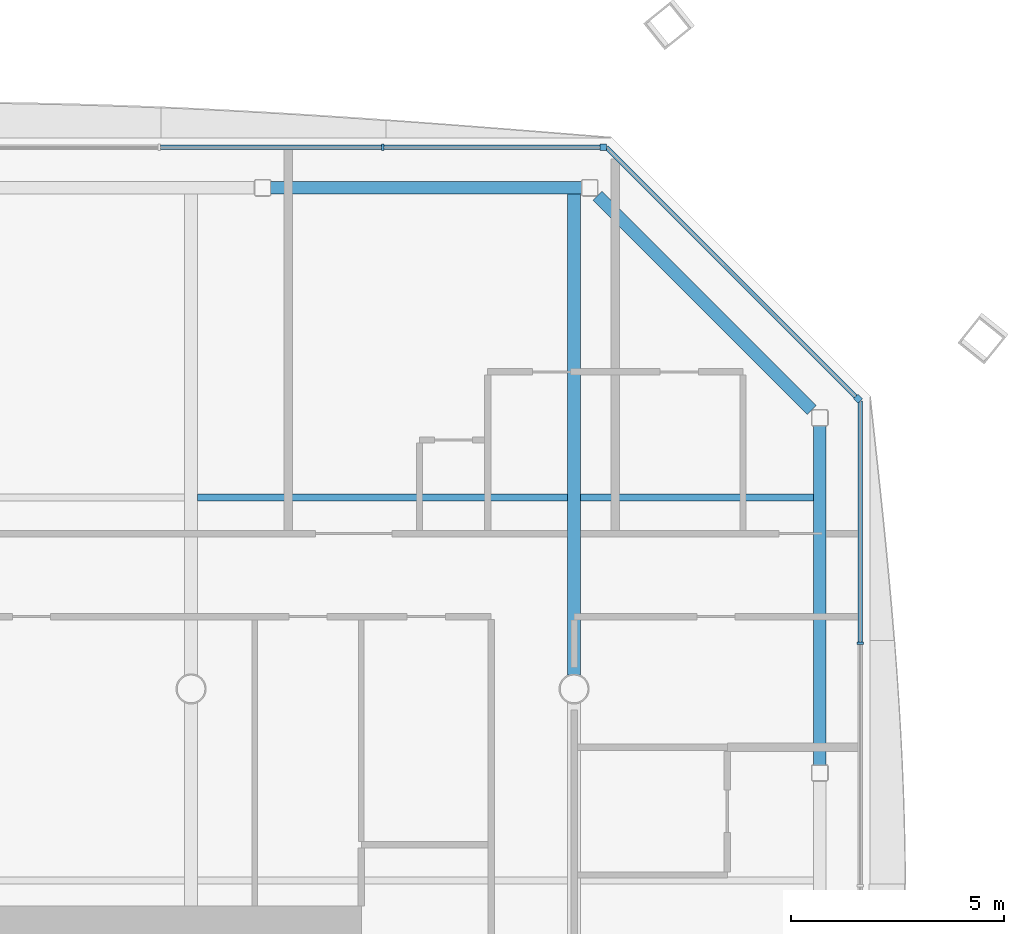
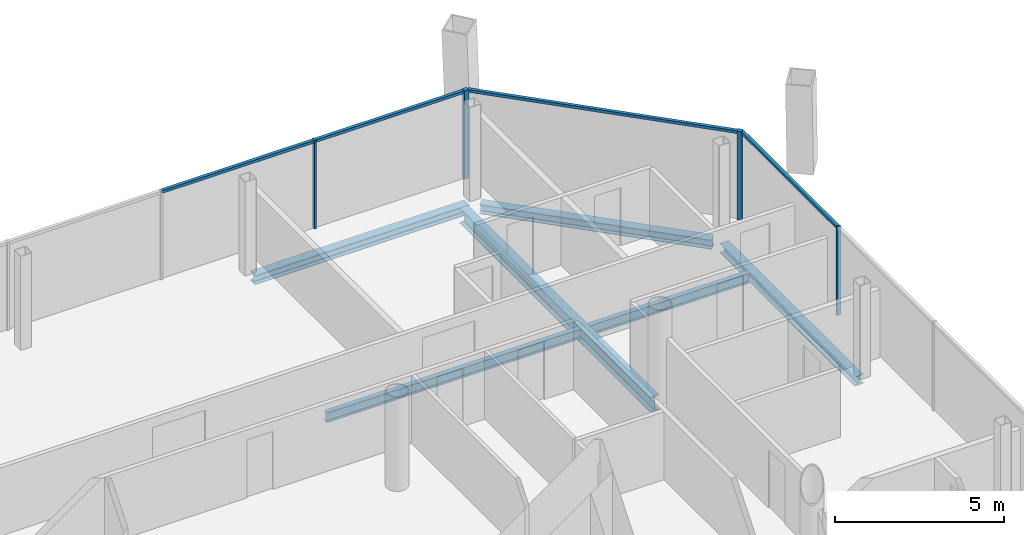
# One storey, part 10 of 18: 8 members, 6 beams, 3 elements without a shape of their own.
"""IFC4 building model written with IfcOpenShell, lengths in metres."""

from ifc_helpers import new_model, si_unit, direction, frame, origin, origin_2d, place, context, subcontext, project, spatial, rectangle, i_section, extrude, material, material_profile, profile_set, type_object, element, aggregate, save


model = new_model("IFC4")

# Units and contexts
model_context = context("Model", 3, precision=1e-05, world=origin(), true_north=direction((0.0, 1.0)))
body_context = subcontext(model_context, "Body", "Model", "MODEL_VIEW")
ifc_project = project(units=[si_unit("LENGTHUNIT", "METRE"), si_unit("AREAUNIT", "SQUARE_METRE"), si_unit("VOLUMEUNIT", "CUBIC_METRE"), si_unit("PLANEANGLEUNIT", "RADIAN"), si_unit("MASSUNIT", "GRAM", prefix="KILO")], contexts=[model_context])

# Site, building, storey
site_placement = place(None, origin())
site = spatial("IfcSite", under=ifc_project, at=site_placement, CompositionType="ELEMENT")
building_placement = place(site_placement, origin())
building = spatial("IfcBuilding", under=site, at=building_placement, Name="Tskaro Facet Tower", CompositionType="ELEMENT")
storey_placement = place(building_placement, frame((0.0, 0.0, 155.5)))
storey = spatial("IfcBuildingStorey", under=building, at=storey_placement, Name="L38", CompositionType="ELEMENT", Elevation=155.5)

# Curtain wall, member
ifc_material_1 = material(Name="Bronze anodised aluminium 6063-T6", Category="aluminium")
curtain_wall_type = type_object("IfcCurtainWallType", Name="Bronze hotel curtain wall (FW2)", PredefinedType="NOTDEFINED", material=ifc_material_1)
curtain_wall_1_placement = place(storey_placement, origin())
curtain_wall_1 = element("IfcCurtainWall", 1, at=curtain_wall_1_placement, inside=storey, type_object=curtain_wall_type, Name="FW2 north-east facet L38", PredefinedType="NOTDEFINED")
ifc_material_profile_1 = material_profile(ifc_material_1, rectangle(XDim=0.14990234375, YDim=0.14990234375, at=origin_2d()), Name="Corner post 150x150")
ifc_profile_set_1 = profile_set([ifc_material_profile_1], Name="Bronze anodised aluminium 6063-T6")
member_type_1 = type_object("IfcMemberType", Name="FW2 bronze corner post 150x150", PredefinedType="MULLION", material=ifc_profile_set_1)
member_1_placement = place(storey_placement, frame((24.6708984375, 15.81396484375, 0.0), z_axis=(0.0, 0.0, 1.0), x_axis=(-0.707106781187, 0.707106781187, 0.0)))
member_1 = element("IfcMember", 2, at=member_1_placement, type_object=member_type_1, Name="FW2 north-east corner post", PredefinedType="MULLION", context=body_context, shape_type="SweptSolid", body=[
    extrude(rectangle(XDim=0.14990234375, YDim=0.14990234375, at=origin_2d()), origin(), (0.0, 0.0, 1.0), 3.199951171875),
])

curtain_wall_2_placement = place(storey_placement, origin())
curtain_wall_2 = element("IfcCurtainWall", 3, at=curtain_wall_2_placement, inside=storey, type_object=curtain_wall_type, Name="FW2 north facet L38", PredefinedType="NOTDEFINED")
member_2_placement = place(storey_placement, frame((18.68603515625, 21.72412109375, 0.0), z_axis=(0.0, 0.0, 1.0), x_axis=(-1.0, 0.0, 0.0)))
member_2 = element("IfcMember", 4, at=member_2_placement, type_object=member_type_1, Name="FW2 north corner post", PredefinedType="MULLION", context=body_context, shape_type="SweptSolid", body=[
    extrude(rectangle(XDim=0.14990234375, YDim=0.14990234375, at=origin_2d()), origin(), (0.0, 0.0, 1.0), 3.199951171875),
])

curtain_wall_3_placement = place(storey_placement, origin())
curtain_wall_3 = element("IfcCurtainWall", 5, at=curtain_wall_3_placement, inside=storey, type_object=curtain_wall_type, Name="FW2 east facet L38", PredefinedType="NOTDEFINED")
ifc_material_profile_2 = material_profile(ifc_material_1, rectangle(XDim=0.06005859375, YDim=0.14990234375, at=origin_2d()), Name="Mullion 60x150")
ifc_profile_set_2 = profile_set([ifc_material_profile_2], Name="Bronze anodised aluminium 6063-T6")
member_type_2 = type_object("IfcMemberType", Name="FW2 bronze mullion 60x150", PredefinedType="MULLION", material=ifc_profile_set_2)
member_3_placement = place(storey_placement, frame((24.72412109375, 10.06884765625, 0.0), z_axis=(0.0, 0.0, 1.0), x_axis=(0.0, 1.0, 0.0)))
member_3 = element("IfcMember", 6, at=member_3_placement, type_object=member_type_2, Name="FW2 east mullion 5", PredefinedType="MULLION", context=body_context, shape_type="SweptSolid", body=[
    extrude(rectangle(XDim=0.06005859375, YDim=0.14990234375, at=origin_2d()), origin(), (0.0, 0.0, 1.0), 3.199951171875),
])

# Member
member_4_placement = place(storey_placement, frame((13.50732421875, 21.72412109375, 0.0), z_axis=(0.0, 0.0, 1.0), x_axis=(-1.0, 0.0, 0.0)))
member_4 = element("IfcMember", 7, at=member_4_placement, type_object=member_type_2, Name="FW2 north mullion 1", PredefinedType="MULLION", context=body_context, shape_type="SweptSolid", body=[
    extrude(rectangle(XDim=0.06005859375, YDim=0.14990234375, at=origin_2d()), origin(), (0.0, 0.0, 1.0), 3.199951171875),
])

ifc_material_profile_3 = material_profile(ifc_material_1, rectangle(XDim=0.110107421875, YDim=0.10009765625, at=origin_2d()), Name="Transom 110x100")
ifc_profile_set_3 = profile_set([ifc_material_profile_3], Name="Bronze anodised aluminium 6063-T6")
member_type_3 = type_object("IfcMemberType", Name="FW2 bronze transom 110x100", PredefinedType="USERDEFINED", material=ifc_profile_set_3)
member_5_placement = place(storey_placement, frame((24.72412109375, 10.098876953125, 3.14990234375), z_axis=(0.0, 1.0, 0.0), x_axis=(-1.0, 0.0, 0.0)))
member_5 = element("IfcMember", 8, at=member_5_placement, type_object=member_type_3, Name="FW2 east transom 6.1", ObjectType="TRANSOM", PredefinedType="USERDEFINED", context=body_context, shape_type="SweptSolid", body=[
    extrude(rectangle(XDim=0.110107421875, YDim=0.10009765625, at=origin_2d()), origin(), (0.0, 0.0, 1.0), 5.662109375),
])

aggregate(curtain_wall_3, [member_3, member_5])

member_6_placement = place(storey_placement, frame((24.617919921875, 15.8671875, 3.14990234375), z_axis=(-0.707106781187, 0.707106781187, 0.0), x_axis=(-0.707106781187, -0.707106781187, 0.0)))
member_6 = element("IfcMember", 9, at=member_6_placement, type_object=member_type_3, Name="FW2 north-east transom 1.1", ObjectType="TRANSOM", PredefinedType="USERDEFINED", context=body_context, shape_type="SweptSolid", body=[
    extrude(rectangle(XDim=0.110107421875, YDim=0.10009765625, at=origin_2d()), origin(), (0.0, 0.0, 1.0), 8.282958984375),
])

aggregate(curtain_wall_1, [member_1, member_6])

member_7_placement = place(storey_placement, frame((18.611083984375, 21.72412109375, 3.14990234375), z_axis=(-1.0, 0.0, 0.0), x_axis=(0.0, -1.0, 0.0)))
member_7 = element("IfcMember", 10, at=member_7_placement, type_object=member_type_3, Name="FW2 north transom 1.1", ObjectType="TRANSOM", PredefinedType="USERDEFINED", context=body_context, shape_type="SweptSolid", body=[
    extrude(rectangle(XDim=0.110107421875, YDim=0.10009765625, at=origin_2d()), origin(), (0.0, 0.0, 1.0), 5.07373046875),
])

member_8_placement = place(storey_placement, frame((13.477294921875, 21.72412109375, 3.14990234375), z_axis=(-1.0, 0.0, 0.0), x_axis=(0.0, -1.0, 0.0)))
member_8 = element("IfcMember", 11, at=member_8_placement, type_object=member_type_3, Name="FW2 north transom 2.1", ObjectType="TRANSOM", PredefinedType="USERDEFINED", context=body_context, shape_type="SweptSolid", body=[
    extrude(rectangle(XDim=0.110107421875, YDim=0.10009765625, at=origin_2d()), origin(), (0.0, 0.0, 1.0), 5.193603515625),
])

aggregate(curtain_wall_2, [member_2, member_4, member_7, member_8])

# Beams
ifc_material_2 = material(Name="Steel S355J2", Category="steel")
ifc_material_profile_4 = material_profile(ifc_material_2, i_section(OverallWidth=0.300048828125, OverallDepth=0.340087890625, WebThickness=0.011962890625, FlangeThickness=0.021484375, FilletRadius=0.027099609375, at=origin_2d()), Name="HE 340 B")
ifc_profile_set_4 = profile_set([ifc_material_profile_4], Name="Steel S355J2")
beam_type_1 = type_object("IfcBeamType", Name="HE 340 B ring beam", PredefinedType="BEAM", material=ifc_profile_set_4)
beam_1_placement = place(storey_placement, frame((23.77392578125, 7.2060546875, -0.31005859375), z_axis=(0.0, 1.0, 0.0), x_axis=(-1.0, 0.0, 0.0)))
element("IfcBeam", 12, at=beam_1_placement, inside=storey, type_object=beam_type_1, Name="HE 340 B EB9-3", PredefinedType="BEAM", context=body_context, shape_type="SweptSolid", body=[
    extrude(i_section(OverallWidth=0.300048828125, OverallDepth=0.340087890625, WebThickness=0.011962890625, FlangeThickness=0.021484375, FilletRadius=0.027099609375, at=origin_2d()), origin(), (0.0, 0.0, 1.0), 7.98193359375),
])
beam_2_placement = place(storey_placement, frame((23.588134765625, 15.553955078125, -0.31005859375), z_axis=(-0.707106781187, 0.707106781187, 0.0), x_axis=(-0.707106781187, -0.707106781187, 0.0)))
element("IfcBeam", 13, at=beam_2_placement, inside=storey, type_object=beam_type_1, Name="HE 340 B EB10-3", PredefinedType="BEAM", context=body_context, shape_type="SweptSolid", body=[
    extrude(i_section(OverallWidth=0.300048828125, OverallDepth=0.340087890625, WebThickness=0.011962890625, FlangeThickness=0.021484375, FilletRadius=0.027099609375, at=origin_2d()), origin(), (0.0, 0.0, 1.0), 7.119384765625),
])
beam_3_placement = place(storey_placement, frame((18.18798828125, 20.77392578125, -0.31005859375), z_axis=(-1.0, 0.0, 0.0), x_axis=(0.0, -1.0, 0.0)))
element("IfcBeam", 14, at=beam_3_placement, inside=storey, type_object=beam_type_1, Name="HE 340 B EB11-3", PredefinedType="BEAM", context=body_context, shape_type="SweptSolid", body=[
    extrude(i_section(OverallWidth=0.300048828125, OverallDepth=0.340087890625, WebThickness=0.011962890625, FlangeThickness=0.021484375, FilletRadius=0.027099609375, at=origin_2d()), origin(), (0.0, 0.0, 1.0), 7.323974609375),
])
ifc_material_profile_5 = material_profile(ifc_material_2, i_section(OverallWidth=0.300048828125, OverallDepth=0.5400390625, WebThickness=0.012451171875, FlangeThickness=0.02392578125, FilletRadius=0.027099609375, at=origin_2d()), Name="HE 550 A")
ifc_profile_set_5 = profile_set([ifc_material_profile_5], Name="Steel S355J2")
beam_type_2 = type_object("IfcBeamType", Name="HE 550 A long girder", PredefinedType="BEAM", material=ifc_profile_set_5)
beam_4_placement = place(storey_placement, frame((18.0, 9.325439453125, -0.409912109375), z_axis=(0.0, 1.0, 0.0), x_axis=(-1.0, 0.0, 0.0)))
element("IfcBeam", 15, at=beam_4_placement, inside=storey, type_object=beam_type_2, Name="HE 550 A LGB6-4-3", PredefinedType="BEAM", context=body_context, shape_type="SweptSolid", body=[
    extrude(i_section(OverallWidth=0.300048828125, OverallDepth=0.5400390625, WebThickness=0.012451171875, FlangeThickness=0.02392578125, FilletRadius=0.027099609375, at=origin_2d()), origin(), (0.0, 0.0, 1.0), 11.298583984375),
])
ifc_material_profile_6 = material_profile(ifc_material_2, i_section(OverallWidth=0.169921875, OverallDepth=0.360107421875, WebThickness=0.008056640625, FlangeThickness=0.0126953125, FilletRadius=0.01806640625, at=origin_2d()), Name="IPE 360")
ifc_profile_set_6 = profile_set([ifc_material_profile_6], Name="Steel S355J2")
beam_type_3 = type_object("IfcBeamType", Name="IPE 360 secondary beam", PredefinedType="BEAM", material=ifc_profile_set_6)
beam_5_placement = place(storey_placement, frame((9.14990234375, 13.5, -0.320068359375), z_axis=(1.0, 0.0, 0.0), x_axis=(0.0, 1.0, 0.0)))
element("IfcBeam", 16, at=beam_5_placement, inside=storey, type_object=beam_type_3, Name="IPE 360 SB5a-4-3", PredefinedType="BEAM", context=body_context, shape_type="SweptSolid", body=[
    extrude(i_section(OverallWidth=0.169921875, OverallDepth=0.360107421875, WebThickness=0.008056640625, FlangeThickness=0.0126953125, FilletRadius=0.01806640625, at=origin_2d()), origin(), (0.0, 0.0, 1.0), 8.7001953125),
])
beam_6_placement = place(storey_placement, frame((18.14990234375, 13.5, -0.320068359375), z_axis=(1.0, 0.0, 0.0), x_axis=(0.0, 1.0, 0.0)))
element("IfcBeam", 17, at=beam_6_placement, inside=storey, type_object=beam_type_3, Name="IPE 360 SB5a-5-3", PredefinedType="BEAM", context=body_context, shape_type="SweptSolid", body=[
    extrude(i_section(OverallWidth=0.169921875, OverallDepth=0.360107421875, WebThickness=0.008056640625, FlangeThickness=0.0126953125, FilletRadius=0.01806640625, at=origin_2d()), origin(), (0.0, 0.0, 1.0), 5.47412109375),
])

save(model, "model.ifc")
